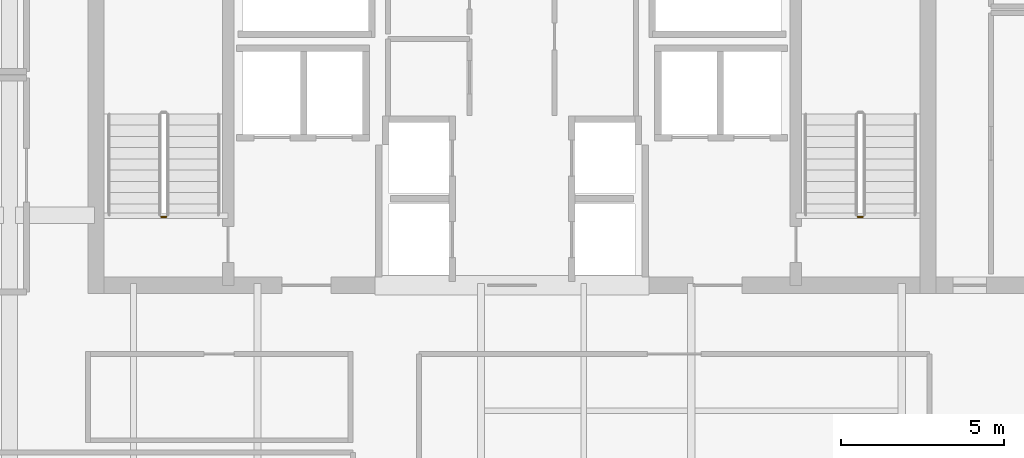
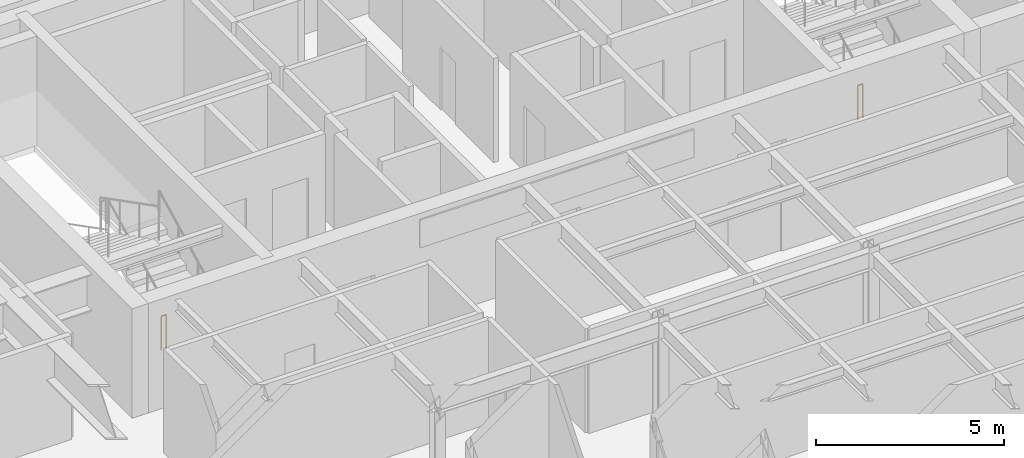
# One storey, part 10 of 12: 2 railings.
"""IFC4 building model written with IfcOpenShell, lengths in metres."""

from ifc_helpers import new_model, si_unit, direction, frame, origin, origin_2d, place, context, subcontext, project, spatial, circle, extrude, material, type_object, element, save


model = new_model("IFC4")

# Units and contexts
model_context = context("Model", 3, precision=1e-05, world=origin(), true_north=direction((0.0, 1.0)))
body_context = subcontext(model_context, "Body", "Model", "MODEL_VIEW")
ifc_project = project(units=[si_unit("LENGTHUNIT", "METRE"), si_unit("AREAUNIT", "SQUARE_METRE"), si_unit("VOLUMEUNIT", "CUBIC_METRE"), si_unit("PLANEANGLEUNIT", "RADIAN"), si_unit("MASSUNIT", "GRAM", prefix="KILO")], contexts=[model_context])

# Site, building, storey
site_placement = place(None, origin())
site = spatial("IfcSite", under=ifc_project, at=site_placement, CompositionType="ELEMENT")
building_placement = place(site_placement, origin())
building = spatial("IfcBuilding", under=site, at=building_placement, Name="Tolvann Quenvar Hotel", CompositionType="ELEMENT")
storey_placement = place(building_placement, frame((0.0, 0.0, 213.25)))
storey = spatial("IfcBuildingStorey", under=building, at=storey_placement, Name="L56", CompositionType="ELEMENT", Elevation=213.25)

# Railings
ifc_material = material(Name="Brushed 316 stainless steel balustrade and handrail", Category="steel")
railing_type = type_object("IfcRailingType", Name="GUARDRAIL", PredefinedType="GUARDRAIL", material=ifc_material)
for number, where, name in (
    (1, (12.39990234375, 33.949951171875, 0.0), "L56 ST-C1 stair guard 4"),
    (2, (33.75, 33.949951171875, 0.0), "L56 ST-C2 stair guard 4"),
):
    element("IfcRailing", number, at=place(storey_placement, frame(where)), inside=storey, type_object=railing_type, Name=name, PredefinedType="GUARDRAIL", context=body_context, shape_type="SweptSolid", body=[
        extrude(circle(Radius=0.02392578125, at=origin_2d()), frame((0.0, 0.0, 1.09619140625), z_axis=(-1.0, 0.0, 0.0), x_axis=(0.0, -1.0, 0.0)), (0.0, 0.0, 1.0), 0.14990234375),
        extrude(circle(Radius=0.02099609375, at=origin_2d()), origin(), (0.0, 0.0, 1.0), 1.072021484375),
        extrude(circle(Radius=0.02099609375, at=origin_2d()), frame((-0.14990234375, 0.0, 0.0)), (0.0, 0.0, 1.0), 1.072021484375),
    ])

save(model, "model.ifc")
